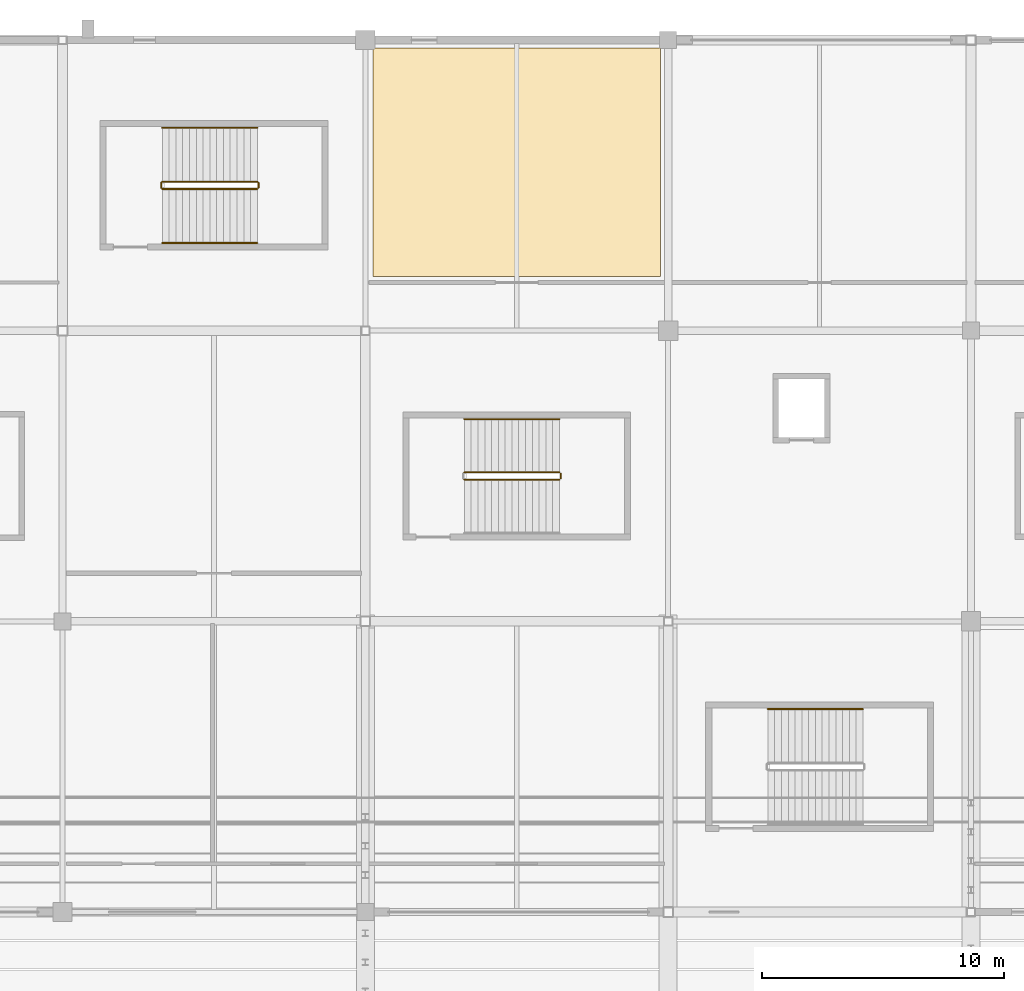
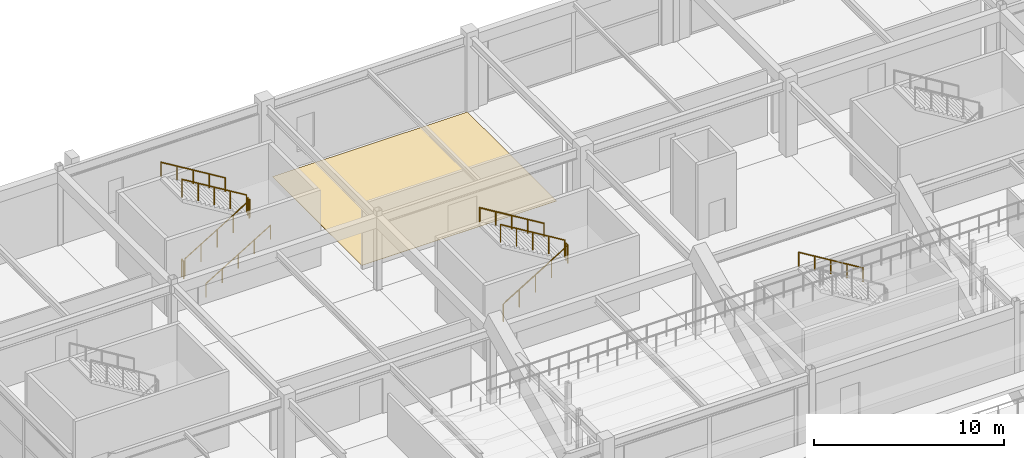
# One storey, part 126 of 128: 11 railings, 1 covering.
"""IFC4 building model written with IfcOpenShell, lengths in metres."""

from ifc_helpers import new_model, si_unit, direction, frame, origin, origin_2d, place, context, subcontext, project, spatial, polyline, circle, outline, extrude, material, layer, layer_set, type_object, element, save


model = new_model("IFC4")

# Units and contexts
model_context = context("Model", 3, precision=1e-05, world=origin(), true_north=direction((0.0, 1.0)))
body_context = subcontext(model_context, "Body", "Model", "MODEL_VIEW")
ifc_project = project(units=[si_unit("LENGTHUNIT", "METRE"), si_unit("AREAUNIT", "SQUARE_METRE"), si_unit("VOLUMEUNIT", "CUBIC_METRE"), si_unit("PLANEANGLEUNIT", "RADIAN"), si_unit("MASSUNIT", "GRAM", prefix="KILO")], contexts=[model_context])

# Site, building, storey
site_placement = place(None, origin())
site = spatial("IfcSite", under=ifc_project, at=site_placement, CompositionType="ELEMENT")
building_placement = place(site_placement, origin())
building = spatial("IfcBuilding", under=site, at=building_placement, Name="Kazenohara Klinker Stadium", CompositionType="ELEMENT")
storey_placement = place(building_placement, frame((0.0, 0.0, 15.300048828125)))
storey = spatial("IfcBuildingStorey", under=building, at=storey_placement, Name="L03", CompositionType="ELEMENT", Elevation=15.300048828125)

# Covering
ifc_material_1 = material(Name="Cushioned EPDM sports rubber flooring", Category="rubber")
ifc_layer_1 = layer(ifc_material_1, 0.014892578125)
ifc_layer_set_1 = layer_set([ifc_layer_1], Name="Cushioned EPDM sports rubber flooring")
covering_type = type_object("IfcCoveringType", Name="COV-FLR-02", PredefinedType="FLOORING", material=ifc_layer_set_1)
covering_placement = place(storey_placement, origin())
element("IfcCovering", 1, at=covering_placement, inside=storey, type_object=covering_type, Name="Interior floor finish FL02 Upper Concourse Hot Beverage Bistro L03-0613A", PredefinedType="FLOORING", context=body_context, shape_type="SweptSolid", body=[
    extrude(outline(polyline([(74.31005859375, 158.22998046875), (86.18994140625, 158.22998046875), (86.18994140625, 167.669921875), (74.31005859375, 167.669921875), (74.31005859375, 158.22998046875)])), origin(), (0.0, 0.0, 1.0), 0.014892578125),
])

# Railings
ifc_material_2 = material(Name="Brushed stainless steel 304 handrail", Category="steel")
ifc_layer_2 = layer(ifc_material_2, 0.050048828125)
ifc_layer_set_2 = layer_set([ifc_layer_2], Name="Brushed stainless steel 304 handrail")
railing_type_1 = type_object("IfcRailingType", Name="RL-HND-900", PredefinedType="HANDRAIL", material=ifc_layer_set_2)
railing_1_placement = place(storey_placement, frame((82.010009765625, 152.35009765625, 2.719970703125)))
element("IfcRailing", 2, at=railing_1_placement, inside=storey, type_object=railing_type_1, Name="L03 ST09 stair handrail 2", PredefinedType="HANDRAIL", context=body_context, shape_type="SweptSolid", body=[
    extrude(circle(Radius=0.02392578125, at=origin_2d()), frame((0.0, 0.0, 0.8759765625), z_axis=(-0.854794262968, 0.0, 0.518967020143), x_axis=(0.0, -1.0, 0.0)), (0.0, 0.0, 1.0), 4.585693359375),
    extrude(circle(Radius=0.02099609375, at=origin_2d()), origin(), (0.0, 0.0, 1.0), 0.851806640625),
    extrude(circle(Radius=0.02099609375, at=origin_2d()), frame((-0.97998046875, 0.0, 0.594970703125)), (0.0, 0.0, 1.0), 0.851806640625),
    extrude(circle(Radius=0.02099609375, at=origin_2d()), frame((-1.9599609375, 0.0, 1.18994140625)), (0.0, 0.0, 1.0), 0.851806640625),
    extrude(circle(Radius=0.02099609375, at=origin_2d()), frame((-2.93994140625, 0.0, 1.784912109375)), (0.0, 0.0, 1.0), 0.851806640625),
    extrude(circle(Radius=0.02099609375, at=origin_2d()), frame((-3.919921875, 0.0, 2.3798828125)), (0.0, 0.0, 1.0), 0.851806640625),
])
railing_2_placement = place(storey_placement, frame((65.6201171875, 159.6201171875, 0.169921875)))
element("IfcRailing", 3, at=railing_2_placement, inside=storey, type_object=railing_type_1, Name="L03 ST15 stair handrail 1", PredefinedType="HANDRAIL", context=body_context, shape_type="SweptSolid", body=[
    extrude(circle(Radius=0.02392578125, at=origin_2d()), frame((0.0, 0.0, 0.8759765625), z_axis=(0.854770645689, 0.0, 0.519005918337), x_axis=(0.0, 1.0, 0.0)), (0.0, 0.0, 1.0), 4.5859375),
    extrude(circle(Radius=0.02099609375, at=origin_2d()), origin(), (0.0, 0.0, 1.0), 0.851806640625),
    extrude(circle(Radius=0.02099609375, at=origin_2d()), frame((0.97998046875, 0.0, 0.594970703125)), (0.0, 0.0, 1.0), 0.851806640625),
    extrude(circle(Radius=0.02099609375, at=origin_2d()), frame((1.9599609375, 0.0, 1.18994140625)), (0.0, 0.0, 1.0), 0.851806640625),
    extrude(circle(Radius=0.02099609375, at=origin_2d()), frame((2.93994140625, 0.0, 1.78515625)), (0.0, 0.0, 1.0), 0.851806640625),
    extrude(circle(Radius=0.02099609375, at=origin_2d()), frame((3.919921875, 0.0, 2.380126953125)), (0.0, 0.0, 1.0), 0.851806640625),
])
for number, where, name in (
    (4, (69.5400390625, 164.3798828125, 2.719970703125), "L03 ST15 stair handrail 2"),
    (5, (94.5400390625, 140.3798828125, 2.719970703125), "L03 ST19 stair handrail 2"),
):
    element("IfcRailing", number, at=place(storey_placement, frame(where)), inside=storey, type_object=railing_type_1, Name=name, PredefinedType="HANDRAIL", context=body_context, shape_type="SweptSolid", body=[
        extrude(circle(Radius=0.02392578125, at=origin_2d()), frame((0.0, 0.0, 0.8759765625), z_axis=(-0.854794262968, 0.0, 0.518967020143), x_axis=(0.0, -1.0, 0.0)), (0.0, 0.0, 1.0), 4.585693359375),
        extrude(circle(Radius=0.02099609375, at=origin_2d()), origin(), (0.0, 0.0, 1.0), 0.851806640625),
        extrude(circle(Radius=0.02099609375, at=origin_2d()), frame((-0.97998046875, 0.0, 0.594970703125)), (0.0, 0.0, 1.0), 0.851806640625),
        extrude(circle(Radius=0.02099609375, at=origin_2d()), frame((-1.9599609375, 0.0, 1.18994140625)), (0.0, 0.0, 1.0), 0.851806640625),
        extrude(circle(Radius=0.02099609375, at=origin_2d()), frame((-2.93994140625, 0.0, 1.784912109375)), (0.0, 0.0, 1.0), 0.851806640625),
        extrude(circle(Radius=0.02099609375, at=origin_2d()), frame((-3.919921875, 0.0, 2.3798828125)), (0.0, 0.0, 1.0), 0.851806640625),
    ])
ifc_material_3 = material(Name="Painted steel stairwell guardrail", Category="steel")
ifc_layer_3 = layer(ifc_material_3, 0.06005859375)
ifc_layer_set_3 = layer_set([ifc_layer_3], Name="Painted steel stairwell guardrail")
railing_type_2 = type_object("IfcRailingType", Name="RL-STG-1120", PredefinedType="GUARDRAIL", material=ifc_layer_set_3)
railing_3_placement = place(storey_placement, frame((78.090087890625, 149.85009765625, 0.169921875)))
element("IfcRailing", 6, at=railing_3_placement, inside=storey, type_object=railing_type_2, Name="L03 ST09 stair guard 1", PredefinedType="GUARDRAIL", context=body_context, shape_type="SweptSolid", body=[
    extrude(circle(Radius=0.02392578125, at=origin_2d()), frame((0.0, 0.0, 1.1259765625), z_axis=(0.854770645689, 0.0, 0.519005918337), x_axis=(0.0, 1.0, 0.0)), (0.0, 0.0, 1.0), 4.5859375),
    extrude(circle(Radius=0.02099609375, at=origin_2d()), origin(), (0.0, 0.0, 1.0), 1.101806640625),
    extrude(circle(Radius=0.02099609375, at=origin_2d()), frame((0.97998046875, 0.0, 0.594970703125)), (0.0, 0.0, 1.0), 1.101806640625),
    extrude(circle(Radius=0.02099609375, at=origin_2d()), frame((1.9599609375, 0.0, 1.18994140625)), (0.0, 0.0, 1.0), 1.101806640625),
    extrude(circle(Radius=0.02099609375, at=origin_2d()), frame((2.93994140625, 0.0, 1.78515625)), (0.0, 0.0, 1.0), 1.101806640625),
    extrude(circle(Radius=0.02099609375, at=origin_2d()), frame((3.919921875, 0.0, 2.380126953125)), (0.0, 0.0, 1.0), 1.101806640625),
])
railing_4_placement = place(storey_placement, frame((82.06005859375, 149.89990234375, 2.550048828125)))
element("IfcRailing", 7, at=railing_4_placement, inside=storey, type_object=railing_type_2, Name="L03 ST09 stair guard 2", PredefinedType="GUARDRAIL", context=body_context, shape_type="SweptSolid", body=[
    extrude(circle(Radius=0.02392578125, at=origin_2d()), frame((0.0, 0.0, 1.1259765625), z_axis=(0.0, 1.0, 0.0), x_axis=(-1.0, 0.0, 0.0)), (0.0, 0.0, 1.0), 0.2001953125),
    extrude(circle(Radius=0.02099609375, at=origin_2d()), origin(), (0.0, 0.0, 1.0), 1.101806640625),
    extrude(circle(Radius=0.02099609375, at=origin_2d()), frame((0.0, 0.2001953125, 0.0)), (0.0, 0.0, 1.0), 1.101806640625),
])
railing_5_placement = place(storey_placement, frame((82.010009765625, 150.14990234375, 2.719970703125)))
element("IfcRailing", 8, at=railing_5_placement, inside=storey, type_object=railing_type_2, Name="L03 ST09 stair guard 3", PredefinedType="GUARDRAIL", context=body_context, shape_type="SweptSolid", body=[
    extrude(circle(Radius=0.02392578125, at=origin_2d()), frame((0.0, 0.0, 1.1259765625), z_axis=(-0.854794262968, 0.0, 0.518967020143), x_axis=(0.0, -1.0, 0.0)), (0.0, 0.0, 1.0), 4.585693359375),
    extrude(circle(Radius=0.02099609375, at=origin_2d()), origin(), (0.0, 0.0, 1.0), 1.101806640625),
    extrude(circle(Radius=0.02099609375, at=origin_2d()), frame((-0.97998046875, 0.0, 0.594970703125)), (0.0, 0.0, 1.0), 1.101806640625),
    extrude(circle(Radius=0.02099609375, at=origin_2d()), frame((-1.9599609375, 0.0, 1.18994140625)), (0.0, 0.0, 1.0), 1.101806640625),
    extrude(circle(Radius=0.02099609375, at=origin_2d()), frame((-2.93994140625, 0.0, 1.784912109375)), (0.0, 0.0, 1.0), 1.101806640625),
    extrude(circle(Radius=0.02099609375, at=origin_2d()), frame((-3.919921875, 0.0, 2.3798828125)), (0.0, 0.0, 1.0), 1.101806640625),
])
railing_6_placement = place(storey_placement, frame((65.6201171875, 161.85009765625, 0.169921875)))
element("IfcRailing", 9, at=railing_6_placement, inside=storey, type_object=railing_type_2, Name="L03 ST15 stair guard 1", PredefinedType="GUARDRAIL", context=body_context, shape_type="SweptSolid", body=[
    extrude(circle(Radius=0.02392578125, at=origin_2d()), frame((0.0, 0.0, 1.1259765625), z_axis=(0.854770645689, 0.0, 0.519005918337), x_axis=(0.0, 1.0, 0.0)), (0.0, 0.0, 1.0), 4.5859375),
    extrude(circle(Radius=0.02099609375, at=origin_2d()), origin(), (0.0, 0.0, 1.0), 1.101806640625),
    extrude(circle(Radius=0.02099609375, at=origin_2d()), frame((0.97998046875, 0.0, 0.594970703125)), (0.0, 0.0, 1.0), 1.101806640625),
    extrude(circle(Radius=0.02099609375, at=origin_2d()), frame((1.9599609375, 0.0, 1.18994140625)), (0.0, 0.0, 1.0), 1.101806640625),
    extrude(circle(Radius=0.02099609375, at=origin_2d()), frame((2.93994140625, 0.0, 1.78515625)), (0.0, 0.0, 1.0), 1.101806640625),
    extrude(circle(Radius=0.02099609375, at=origin_2d()), frame((3.919921875, 0.0, 2.380126953125)), (0.0, 0.0, 1.0), 1.101806640625),
])
railing_7_placement = place(storey_placement, frame((69.590087890625, 161.89990234375, 2.550048828125)))
element("IfcRailing", 10, at=railing_7_placement, inside=storey, type_object=railing_type_2, Name="L03 ST15 stair guard 2", PredefinedType="GUARDRAIL", context=body_context, shape_type="SweptSolid", body=[
    extrude(circle(Radius=0.02392578125, at=origin_2d()), frame((0.0, 0.0, 1.1259765625), z_axis=(0.0, 1.0, 0.0), x_axis=(-1.0, 0.0, 0.0)), (0.0, 0.0, 1.0), 0.2001953125),
    extrude(circle(Radius=0.02099609375, at=origin_2d()), origin(), (0.0, 0.0, 1.0), 1.101806640625),
    extrude(circle(Radius=0.02099609375, at=origin_2d()), frame((0.0, 0.2001953125, 0.0)), (0.0, 0.0, 1.0), 1.101806640625),
])
railing_8_placement = place(storey_placement, frame((69.5400390625, 162.14990234375, 2.719970703125)))
element("IfcRailing", 11, at=railing_8_placement, inside=storey, type_object=railing_type_2, Name="L03 ST15 stair guard 3", PredefinedType="GUARDRAIL", context=body_context, shape_type="SweptSolid", body=[
    extrude(circle(Radius=0.02392578125, at=origin_2d()), frame((0.0, 0.0, 1.1259765625), z_axis=(-0.854794262968, 0.0, 0.518967020143), x_axis=(0.0, -1.0, 0.0)), (0.0, 0.0, 1.0), 4.585693359375),
    extrude(circle(Radius=0.02099609375, at=origin_2d()), origin(), (0.0, 0.0, 1.0), 1.101806640625),
    extrude(circle(Radius=0.02099609375, at=origin_2d()), frame((-0.97998046875, 0.0, 0.594970703125)), (0.0, 0.0, 1.0), 1.101806640625),
    extrude(circle(Radius=0.02099609375, at=origin_2d()), frame((-1.9599609375, 0.0, 1.18994140625)), (0.0, 0.0, 1.0), 1.101806640625),
    extrude(circle(Radius=0.02099609375, at=origin_2d()), frame((-2.93994140625, 0.0, 1.784912109375)), (0.0, 0.0, 1.0), 1.101806640625),
    extrude(circle(Radius=0.02099609375, at=origin_2d()), frame((-3.919921875, 0.0, 2.3798828125)), (0.0, 0.0, 1.0), 1.101806640625),
])
railing_9_placement = place(storey_placement, frame((65.570068359375, 161.89990234375, 0.0)))
element("IfcRailing", 12, at=railing_9_placement, inside=storey, type_object=railing_type_2, Name="L03 ST15 stair guard 4", PredefinedType="GUARDRAIL", context=body_context, shape_type="SweptSolid", body=[
    extrude(circle(Radius=0.02392578125, at=origin_2d()), frame((0.0, 0.0, 1.1259765625), z_axis=(0.0, 1.0, 0.0), x_axis=(-1.0, 0.0, 0.0)), (0.0, 0.0, 1.0), 0.2001953125),
    extrude(circle(Radius=0.02099609375, at=origin_2d()), origin(), (0.0, 0.0, 1.0), 1.101806640625),
    extrude(circle(Radius=0.02099609375, at=origin_2d()), frame((0.0, 0.2001953125, 0.0)), (0.0, 0.0, 1.0), 1.101806640625),
])

save(model, "model.ifc")
